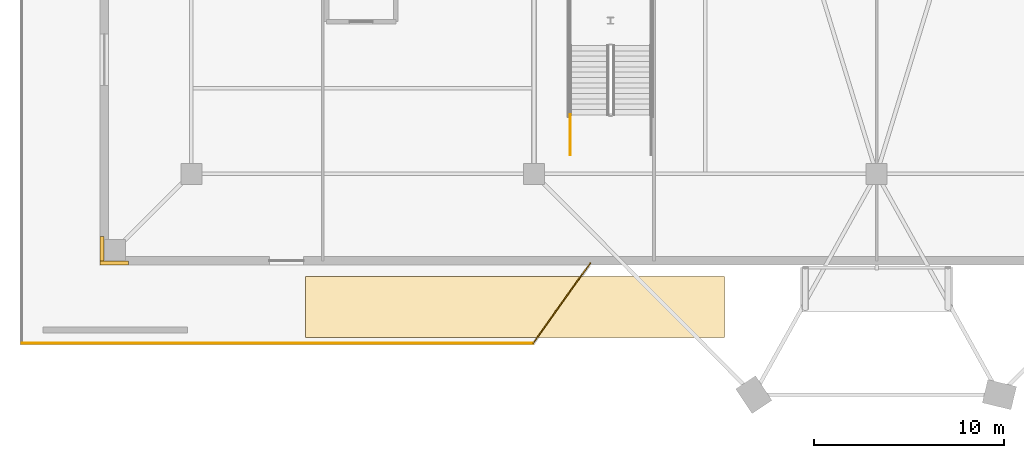
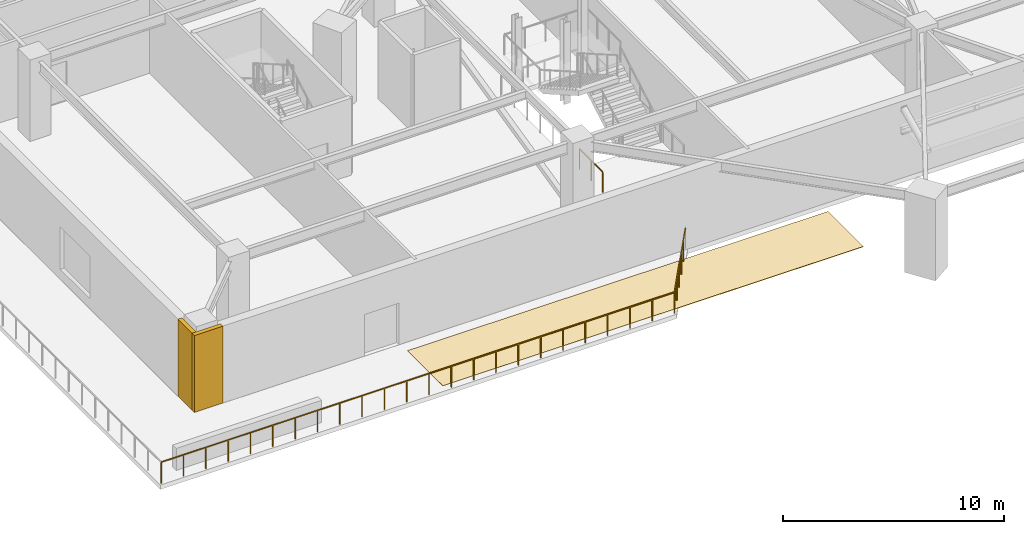
# One storey, part 14 of 19: 3 coverings, 3 railings.
"""IFC4 building model written with IfcOpenShell, lengths in metres."""

from ifc_helpers import new_model, si_unit, direction, frame, origin, origin_2d, place, context, subcontext, project, spatial, polyline, rectangle, outline, extrude, source, transform, mapped, material, layer, layer_set, type_object, element, save


model = new_model("IFC4")

# Units and contexts
model_context = context("Model", 3, precision=1e-05, world=origin(), true_north=direction((0.0, 1.0)))
body_context = subcontext(model_context, "Body", "Model", "MODEL_VIEW")
ifc_project = project(units=[si_unit("LENGTHUNIT", "METRE"), si_unit("AREAUNIT", "SQUARE_METRE"), si_unit("VOLUMEUNIT", "CUBIC_METRE"), si_unit("PLANEANGLEUNIT", "RADIAN"), si_unit("MASSUNIT", "GRAM", prefix="KILO")], contexts=[model_context])

# Site, building, storey
site_placement = place(None, origin())
site = spatial("IfcSite", under=ifc_project, at=site_placement, CompositionType="ELEMENT")
building_placement = place(site_placement, origin())
building = spatial("IfcBuilding", under=site, at=building_placement, Name="Liaohun Quay Tower", CompositionType="ELEMENT")
storey_placement = place(building_placement, frame((0.0, 0.0, 9.89990234375)))
storey = spatial("IfcBuildingStorey", under=building, at=storey_placement, Name="L03", CompositionType="ELEMENT", Elevation=9.89990234375)

# Covering
ifc_material_1 = material(Name="SBS waterproof membrane and extruded polystyrene insulation")
ifc_layer_1 = layer(ifc_material_1, 0.030029296875, Name="SBS waterproof membrane and extruded polystyrene insulation")
ifc_layer_set_1 = layer_set([ifc_layer_1], Name="SBS waterproof membrane and extruded polystyrene insulation")
covering_type_1 = type_object("IfcCoveringType", Name="COV-ROOF-MEM", PredefinedType="ROOFING", material=ifc_layer_set_1)
covering_1_placement = place(storey_placement, frame((0.0, 0.0, -0.02978515625)))
element("IfcCovering", 1, at=covering_1_placement, inside=storey, type_object=covering_type_1, Name="L03 Terrace SBS Waterproofing Membrane", PredefinedType="ROOFING", context=body_context, shape_type="SweptSolid", body=[
    extrude(outline(polyline([(30.0, 15.39990234375), (52.0, 15.39990234375), (52.0, 18.60009765625), (30.0, 18.60009765625), (30.0, 15.39990234375)])), origin(), (0.0, 0.0, 1.0), 0.02978515625),
])

# Railings
ifc_material_2 = material(Name="Laminated safety glass and stainless steel", Category="steel")
railing_type_1 = type_object("IfcRailingType", Name="RLG-GUARD-ATR", PredefinedType="BALUSTRADE", material=ifc_material_2)
railing_1_placement = place(storey_placement, frame((43.909912109375, 25.0, 0.0)))
element("IfcRailing", 2, at=railing_1_placement, inside=storey, type_object=railing_type_1, Name="L03 ST-A stair guard 9", PredefinedType="BALUSTRADE", context=body_context, shape_type="SweptSolid", body=[
    extrude(rectangle(XDim=0.048095703125, YDim=0.048095703125, at=origin_2d()), frame((0.0, 0.0, 1.1259765625), z_axis=(0.0, 1.0, 0.0), x_axis=(-1.0, 0.0, 0.0)), (0.0, 0.0, 1.0), 2.10009765625),
    extrude(rectangle(XDim=0.0419921875, YDim=0.0419921875, at=origin_2d()), origin(), (0.0, 0.0, 1.0), 1.101806640625),
    extrude(rectangle(XDim=0.0419921875, YDim=0.0419921875, at=origin_2d()), frame((0.0, 1.050048828125, 0.0)), (0.0, 0.0, 1.0), 1.101806640625),
    extrude(rectangle(XDim=0.0419921875, YDim=0.0419921875, at=origin_2d()), frame((0.0, 2.10009765625, 0.0)), (0.0, 0.0, 1.0), 1.101806640625),
])
ifc_material_3 = material(Name="Galvanised and powder-coated steel", Category="steel")
railing_type_2 = type_object("IfcRailingType", Name="RLG-GUARD-EXT", PredefinedType="GUARDRAIL", material=ifc_material_3)
railing_2_placement = place(storey_placement, frame((44.948974609375, 19.300048828125, 0.0)))
element("IfcRailing", 3, at=railing_2_placement, inside=storey, type_object=railing_type_2, Name="L03 Stepped Podium Terrace Guardrail 05", PredefinedType="GUARDRAIL", context=body_context, shape_type="SweptSolid", body=[
    extrude(rectangle(XDim=0.048095703125, YDim=0.048095703125, at=origin_2d()), frame((0.0, 0.0, 1.17578125), z_axis=(-0.581242668191, -0.813730275137, 0.0), x_axis=(0.813730275137, -0.581242668191, 0.0)), (0.0, 0.0, 1.0), 5.161376953125),
    extrude(rectangle(XDim=0.0419921875, YDim=0.0419921875, at=origin_2d()), origin(), (0.0, 0.0, 1.0), 1.15185546875),
    extrude(rectangle(XDim=0.0419921875, YDim=0.0419921875, at=origin_2d()), frame((-0.60009765625, -0.840087890625, 0.0)), (0.0, 0.0, 1.0), 1.15185546875),
    extrude(rectangle(XDim=0.0419921875, YDim=0.0419921875, at=origin_2d()), frame((-1.199951171875, -1.679931640625, 0.0)), (0.0, 0.0, 1.0), 1.15185546875),
    extrude(rectangle(XDim=0.0419921875, YDim=0.0419921875, at=origin_2d()), frame((-1.800048828125, -2.52001953125, 0.0)), (0.0, 0.0, 1.0), 1.15185546875),
    extrude(rectangle(XDim=0.0419921875, YDim=0.0419921875, at=origin_2d()), frame((-2.39990234375, -3.35986328125, 0.0)), (0.0, 0.0, 1.0), 1.15185546875),
    extrude(rectangle(XDim=0.0419921875, YDim=0.0419921875, at=origin_2d()), frame((-3.0, -4.199951171875, 0.0)), (0.0, 0.0, 1.0), 1.15185546875),
])
railing_3_placement = place(storey_placement, frame((41.948974609375, 15.10009765625, 0.0)))
element("IfcRailing", 4, at=railing_3_placement, inside=storey, type_object=railing_type_2, Name="L03 Stepped Podium Terrace Guardrail 06", PredefinedType="GUARDRAIL", context=body_context, shape_type="SweptSolid", body=[
    extrude(rectangle(XDim=0.048095703125, YDim=0.048095703125, at=origin_2d()), frame((0.0, 0.0, 1.17578125), z_axis=(-1.0, 0.0, 0.0), x_axis=(0.0, -1.0, 0.0)), (0.0, 0.0, 1.0), 26.848876953125),
    extrude(rectangle(XDim=0.0419921875, YDim=0.0419921875, at=origin_2d()), origin(), (0.0, 0.0, 1.0), 1.15185546875),
    extrude(rectangle(XDim=0.0419921875, YDim=0.0419921875, at=origin_2d()), frame((-1.167236328125, 0.0, 0.0)), (0.0, 0.0, 1.0), 1.15185546875),
    extrude(rectangle(XDim=0.0419921875, YDim=0.0419921875, at=origin_2d()), frame((-2.334716796875, 0.0, 0.0)), (0.0, 0.0, 1.0), 1.15185546875),
    extrude(rectangle(XDim=0.0419921875, YDim=0.0419921875, at=origin_2d()), frame((-3.501953125, 0.0, 0.0)), (0.0, 0.0, 1.0), 1.15185546875),
    extrude(rectangle(XDim=0.0419921875, YDim=0.0419921875, at=origin_2d()), frame((-4.66943359375, 0.0, 0.0)), (0.0, 0.0, 1.0), 1.15185546875),
    extrude(rectangle(XDim=0.0419921875, YDim=0.0419921875, at=origin_2d()), frame((-5.836669921875, 0.0, 0.0)), (0.0, 0.0, 1.0), 1.15185546875),
    extrude(rectangle(XDim=0.0419921875, YDim=0.0419921875, at=origin_2d()), frame((-7.004150390625, 0.0, 0.0)), (0.0, 0.0, 1.0), 1.15185546875),
    extrude(rectangle(XDim=0.0419921875, YDim=0.0419921875, at=origin_2d()), frame((-8.17138671875, 0.0, 0.0)), (0.0, 0.0, 1.0), 1.15185546875),
    extrude(rectangle(XDim=0.0419921875, YDim=0.0419921875, at=origin_2d()), frame((-9.338623046875, 0.0, 0.0)), (0.0, 0.0, 1.0), 1.15185546875),
    extrude(rectangle(XDim=0.0419921875, YDim=0.0419921875, at=origin_2d()), frame((-10.506103515625, 0.0, 0.0)), (0.0, 0.0, 1.0), 1.15185546875),
    extrude(rectangle(XDim=0.0419921875, YDim=0.0419921875, at=origin_2d()), frame((-11.67333984375, 0.0, 0.0)), (0.0, 0.0, 1.0), 1.15185546875),
    extrude(rectangle(XDim=0.0419921875, YDim=0.0419921875, at=origin_2d()), frame((-12.8408203125, 0.0, 0.0)), (0.0, 0.0, 1.0), 1.15185546875),
    extrude(rectangle(XDim=0.0419921875, YDim=0.0419921875, at=origin_2d()), frame((-14.008056640625, 0.0, 0.0)), (0.0, 0.0, 1.0), 1.15185546875),
    extrude(rectangle(XDim=0.0419921875, YDim=0.0419921875, at=origin_2d()), frame((-15.175537109375, 0.0, 0.0)), (0.0, 0.0, 1.0), 1.15185546875),
    extrude(rectangle(XDim=0.0419921875, YDim=0.0419921875, at=origin_2d()), frame((-16.3427734375, 0.0, 0.0)), (0.0, 0.0, 1.0), 1.15185546875),
    extrude(rectangle(XDim=0.0419921875, YDim=0.0419921875, at=origin_2d()), frame((-17.51025390625, 0.0, 0.0)), (0.0, 0.0, 1.0), 1.15185546875),
    extrude(rectangle(XDim=0.0419921875, YDim=0.0419921875, at=origin_2d()), frame((-18.677490234375, 0.0, 0.0)), (0.0, 0.0, 1.0), 1.15185546875),
    extrude(rectangle(XDim=0.0419921875, YDim=0.0419921875, at=origin_2d()), frame((-19.8447265625, 0.0, 0.0)), (0.0, 0.0, 1.0), 1.15185546875),
    extrude(rectangle(XDim=0.0419921875, YDim=0.0419921875, at=origin_2d()), frame((-21.01220703125, 0.0, 0.0)), (0.0, 0.0, 1.0), 1.15185546875),
    extrude(rectangle(XDim=0.0419921875, YDim=0.0419921875, at=origin_2d()), frame((-22.179443359375, 0.0, 0.0)), (0.0, 0.0, 1.0), 1.15185546875),
    extrude(rectangle(XDim=0.0419921875, YDim=0.0419921875, at=origin_2d()), frame((-23.346923828125, 0.0, 0.0)), (0.0, 0.0, 1.0), 1.15185546875),
    extrude(rectangle(XDim=0.0419921875, YDim=0.0419921875, at=origin_2d()), frame((-24.51416015625, 0.0, 0.0)), (0.0, 0.0, 1.0), 1.15185546875),
    extrude(rectangle(XDim=0.0419921875, YDim=0.0419921875, at=origin_2d()), frame((-25.681640625, 0.0, 0.0)), (0.0, 0.0, 1.0), 1.15185546875),
    extrude(rectangle(XDim=0.0419921875, YDim=0.0419921875, at=origin_2d()), frame((-26.848876953125, 0.0, 0.0)), (0.0, 0.0, 1.0), 1.15185546875),
])

# Coverings
ifc_material_4 = material(Name="Bush-hammered Liaodong grey granite stone cladding", Category="masonry")
ifc_layer_2 = layer(ifc_material_4, 0.0400390625, Name="Bush-hammered Liaodong grey granite stone cladding", Category="masonry")
ifc_layer_set_2 = layer_set([ifc_layer_2], Name="Bush-hammered Liaodong grey granite stone cladding")
covering_type_2 = type_object("IfcCoveringType", Name="COV-EXT-CLD", PredefinedType="CLADDING", material=ifc_layer_set_2)
shared_shape_1 = source(origin(), body_context, "Body", "SweptSolid", [
    extrude(rectangle(XDim=1.5, YDim=0.219970703125, at=origin_2d()), origin(), (0.0, 0.0, 1.0), 4.25),
])
covering_2_placement = place(storey_placement, frame((19.949951171875, 19.31005859375, 0.0), z_axis=(0.0, 0.0, 1.0), x_axis=(1.0, 0.0, 0.0)))
element("IfcCovering", 5, at=covering_2_placement, inside=storey, type_object=covering_type_2, Name="L03 Corner Granite Pier Cladding SW-X", PredefinedType="CLADDING", context=body_context, shape_type="MappedRepresentation", body=[
    mapped(shared_shape_1, transform((0.0, 0.0, 0.0), x_axis=(1.0, 0.0, 0.0), y_axis=(0.0, 1.0, 0.0), z_axis=(0.0, 0.0, 1.0), scale=1.0)),
])
shared_shape_2 = source(origin(), body_context, "Body", "SweptSolid", [
    extrude(rectangle(XDim=0.219970703125, YDim=1.280029296875, at=origin_2d()), origin(), (0.0, 0.0, 1.0), 4.25),
])
covering_3_placement = place(storey_placement, frame((19.31005859375, 20.06005859375, 0.0), z_axis=(0.0, 0.0, 1.0), x_axis=(1.0, 0.0, 0.0)))
element("IfcCovering", 6, at=covering_3_placement, inside=storey, type_object=covering_type_2, Name="L03 Corner Granite Pier Cladding SW-Y", PredefinedType="CLADDING", context=body_context, shape_type="MappedRepresentation", body=[
    mapped(shared_shape_2, transform((0.0, 0.0, 0.0), x_axis=(1.0, 0.0, 0.0), y_axis=(0.0, 1.0, 0.0), z_axis=(0.0, 0.0, 1.0), scale=1.0)),
])

save(model, "model.ifc")
